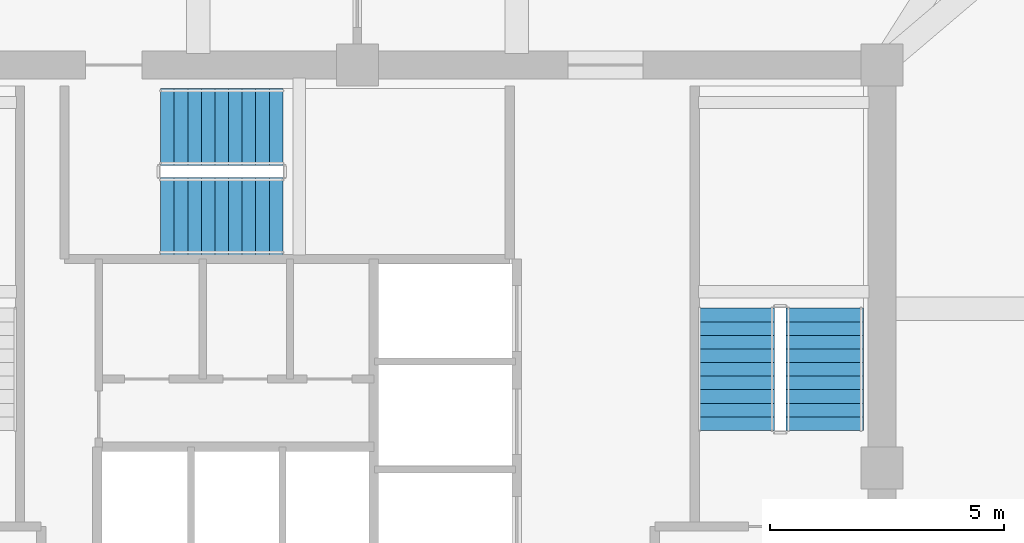
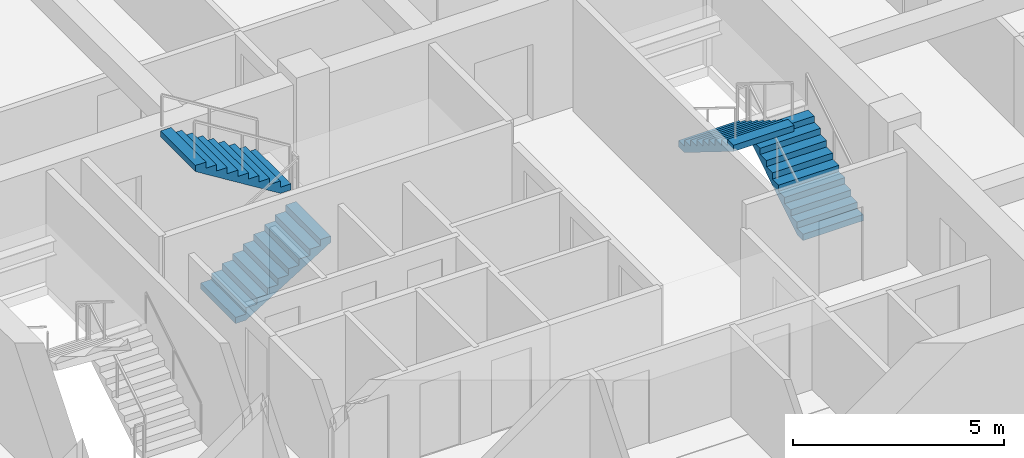
# One storey, part 11 of 13: 4 stair flights, 2 elements without a shape of their own.
"""IFC4 building model written with IfcOpenShell, lengths in metres."""

from ifc_helpers import new_model, si_unit, derived_unit, direction, frame, origin, place, context, subcontext, project, spatial, polyline, outline, extrude, material, type_object, element, aggregate, save


model = new_model("IFC4")

# Units and contexts
model_context = context("Model", 3, precision=1e-05, world=origin(), true_north=direction((0.0, 1.0)))
body_context = subcontext(model_context, "Body", "Model", "MODEL_VIEW")
ifc_project = project(units=[si_unit("LENGTHUNIT", "METRE"), si_unit("AREAUNIT", "SQUARE_METRE"), si_unit("VOLUMEUNIT", "CUBIC_METRE"), si_unit("PLANEANGLEUNIT", "RADIAN"), si_unit("MASSUNIT", "GRAM", prefix="KILO"), derived_unit("THERMALTRANSMITTANCEUNIT", [(si_unit("POWERUNIT", "WATT"), 1), (si_unit("LENGTHUNIT", "METRE"), -2), (si_unit("THERMODYNAMICTEMPERATUREUNIT", "KELVIN"), -1)])], contexts=[model_context])

# Site, building, storey
site_placement = place(None, origin())
site = spatial("IfcSite", under=ifc_project, at=site_placement, CompositionType="ELEMENT")
building_placement = place(site_placement, origin())
building = spatial("IfcBuilding", under=site, at=building_placement, Name="Koralith Skygarden Medical Center", CompositionType="ELEMENT")
storey_placement = place(building_placement, frame((0.0, 0.0, 214.3798828125)))
storey = spatial("IfcBuildingStorey", under=building, at=storey_placement, Name="L55", CompositionType="ELEMENT", Elevation=214.3798828125)

# Stair, stair flights
ifc_material = material(Name="Concrete C45/55", Category="concrete")
stair_type = type_object("IfcStairType", Name="Core Exit Dogleg Concrete Stair", PredefinedType="HALF_TURN_STAIR", material=ifc_material)
stair_1_placement = place(storey_placement, origin())
stair_1 = element("IfcStair", 1, at=stair_1_placement, inside=storey, type_object=stair_type, Name="L55 Smokeproof Exit Stair ST2", PredefinedType="HALF_TURN_STAIR")
stair_flight_type = type_object("IfcStairFlightType", Name="Core Exit Concrete Stair Flight 1650", PredefinedType="STRAIGHT", material=ifc_material)
stair_flight_1_placement = place(storey_placement, frame((46.97509765625, 26.699951171875, 0.0), z_axis=(0.0, 0.0, 1.0), x_axis=(0.0, 1.0, 0.0)))
stair_flight_1 = element("IfcStairFlight", 2, at=stair_flight_1_placement, type_object=stair_flight_type, Name="ST2 flight 1", NumberOfRisers=10, NumberOfTreads=9, PredefinedType="STRAIGHT", RiserHeight=0.18, TreadLength=0.29, context=body_context, shape_type="SweptSolid", body=[
    extrude(outline(polyline([(0.0, 0.0), (0.0, 0.179931640625), (0.2900390625, 0.179931640625), (0.2900390625, 0.360107421875), (0.580078125, 0.360107421875), (0.580078125, 0.5400390625), (0.8701171875, 0.5400390625), (0.8701171875, 0.719970703125), (1.159912109375, 0.719970703125), (1.159912109375, 0.89990234375), (1.449951171875, 0.89990234375), (1.449951171875, 1.080078125), (1.739990234375, 1.080078125), (1.739990234375, 1.260009765625), (2.030029296875, 1.260009765625), (2.030029296875, 1.43994140625), (2.320068359375, 1.43994140625), (2.320068359375, 1.6201171875), (2.610107421875, 1.6201171875), (2.610107421875, 1.800048828125), (2.610107421875, 1.443603515625), (0.2841796875, 0.0), (0.0, 0.0)])), frame((0.0, 0.824951171875, 0.0), z_axis=(0.0, -1.0, 0.0), x_axis=(1.0, 0.0, 0.0)), (0.0, 0.0, 1.0), 1.64990234375),
])
stair_flight_2_placement = place(storey_placement, frame((45.074951171875, 29.31005859375, 1.800048828125), z_axis=(0.0, 0.0, 1.0), x_axis=(0.0, -1.0, 0.0)))
stair_flight_2 = element("IfcStairFlight", 3, at=stair_flight_2_placement, type_object=stair_flight_type, Name="ST2 flight 2", NumberOfRisers=10, NumberOfTreads=9, PredefinedType="STRAIGHT", RiserHeight=0.18, TreadLength=0.29, context=body_context, shape_type="SweptSolid", body=[
    extrude(outline(polyline([(0.0, 0.0), (0.0, 0.179931640625), (0.2900390625, 0.179931640625), (0.2900390625, 0.360107421875), (0.580078125, 0.360107421875), (0.580078125, 0.5400390625), (0.8701171875, 0.5400390625), (0.8701171875, 0.719970703125), (1.159912109375, 0.719970703125), (1.159912109375, 0.89990234375), (1.449951171875, 0.89990234375), (1.449951171875, 1.080078125), (1.739990234375, 1.080078125), (1.739990234375, 1.260009765625), (2.030029296875, 1.260009765625), (2.030029296875, 1.43994140625), (2.320068359375, 1.43994140625), (2.320068359375, 1.6201171875), (2.610107421875, 1.6201171875), (2.610107421875, 1.800048828125), (2.610107421875, 1.443603515625), (0.2841796875, 0.0), (0.0, 0.0)])), frame((0.0, 0.824951171875, 0.0), z_axis=(0.0, -1.0, 0.0), x_axis=(1.0, 0.0, 0.0)), (0.0, 0.0, 1.0), 1.64990234375),
])
aggregate(stair_1, [stair_flight_1, stair_flight_2])

stair_2_placement = place(storey_placement, origin())
stair_2 = element("IfcStair", 4, at=stair_2_placement, inside=storey, type_object=stair_type, Name="L55 Smokeproof Exit Stair ST3", PredefinedType="HALF_TURN_STAIR")
stair_flight_3_placement = place(storey_placement, frame((32.800048828125, 31.27490234375, 0.0), z_axis=(0.0, 0.0, 1.0), x_axis=(1.0, 0.0, 0.0)))
stair_flight_3 = element("IfcStairFlight", 5, at=stair_flight_3_placement, type_object=stair_flight_type, Name="ST3 flight 1", NumberOfRisers=10, NumberOfTreads=9, PredefinedType="STRAIGHT", RiserHeight=0.18, TreadLength=0.29, context=body_context, shape_type="SweptSolid", body=[
    extrude(outline(polyline([(0.0, 0.0), (0.0, 0.179931640625), (0.2900390625, 0.179931640625), (0.2900390625, 0.360107421875), (0.580078125, 0.360107421875), (0.580078125, 0.5400390625), (0.8701171875, 0.5400390625), (0.8701171875, 0.719970703125), (1.159912109375, 0.719970703125), (1.159912109375, 0.89990234375), (1.449951171875, 0.89990234375), (1.449951171875, 1.080078125), (1.739990234375, 1.080078125), (1.739990234375, 1.260009765625), (2.030029296875, 1.260009765625), (2.030029296875, 1.43994140625), (2.320068359375, 1.43994140625), (2.320068359375, 1.6201171875), (2.610107421875, 1.6201171875), (2.610107421875, 1.800048828125), (2.610107421875, 1.443603515625), (0.2841796875, 0.0), (0.0, 0.0)])), frame((0.0, 0.824951171875, 0.0), z_axis=(0.0, -1.0, 0.0), x_axis=(1.0, 0.0, 0.0)), (0.0, 0.0, 1.0), 1.64990234375),
])
stair_flight_4_placement = place(storey_placement, frame((35.409912109375, 33.175048828125, 1.800048828125), z_axis=(0.0, 0.0, 1.0), x_axis=(-1.0, 0.0, 0.0)))
stair_flight_4 = element("IfcStairFlight", 6, at=stair_flight_4_placement, type_object=stair_flight_type, Name="ST3 flight 2", NumberOfRisers=10, NumberOfTreads=9, PredefinedType="STRAIGHT", RiserHeight=0.18, TreadLength=0.29, context=body_context, shape_type="SweptSolid", body=[
    extrude(outline(polyline([(0.0, 0.0), (0.0, 0.179931640625), (0.2900390625, 0.179931640625), (0.2900390625, 0.360107421875), (0.580078125, 0.360107421875), (0.580078125, 0.5400390625), (0.8701171875, 0.5400390625), (0.8701171875, 0.719970703125), (1.159912109375, 0.719970703125), (1.159912109375, 0.89990234375), (1.449951171875, 0.89990234375), (1.449951171875, 1.080078125), (1.739990234375, 1.080078125), (1.739990234375, 1.260009765625), (2.030029296875, 1.260009765625), (2.030029296875, 1.43994140625), (2.320068359375, 1.43994140625), (2.320068359375, 1.6201171875), (2.610107421875, 1.6201171875), (2.610107421875, 1.800048828125), (2.610107421875, 1.443603515625), (0.2841796875, 0.0), (0.0, 0.0)])), frame((0.0, 0.824951171875, 0.0), z_axis=(0.0, -1.0, 0.0), x_axis=(1.0, 0.0, 0.0)), (0.0, 0.0, 1.0), 1.64990234375),
])
aggregate(stair_2, [stair_flight_3, stair_flight_4])

save(model, "model.ifc")
